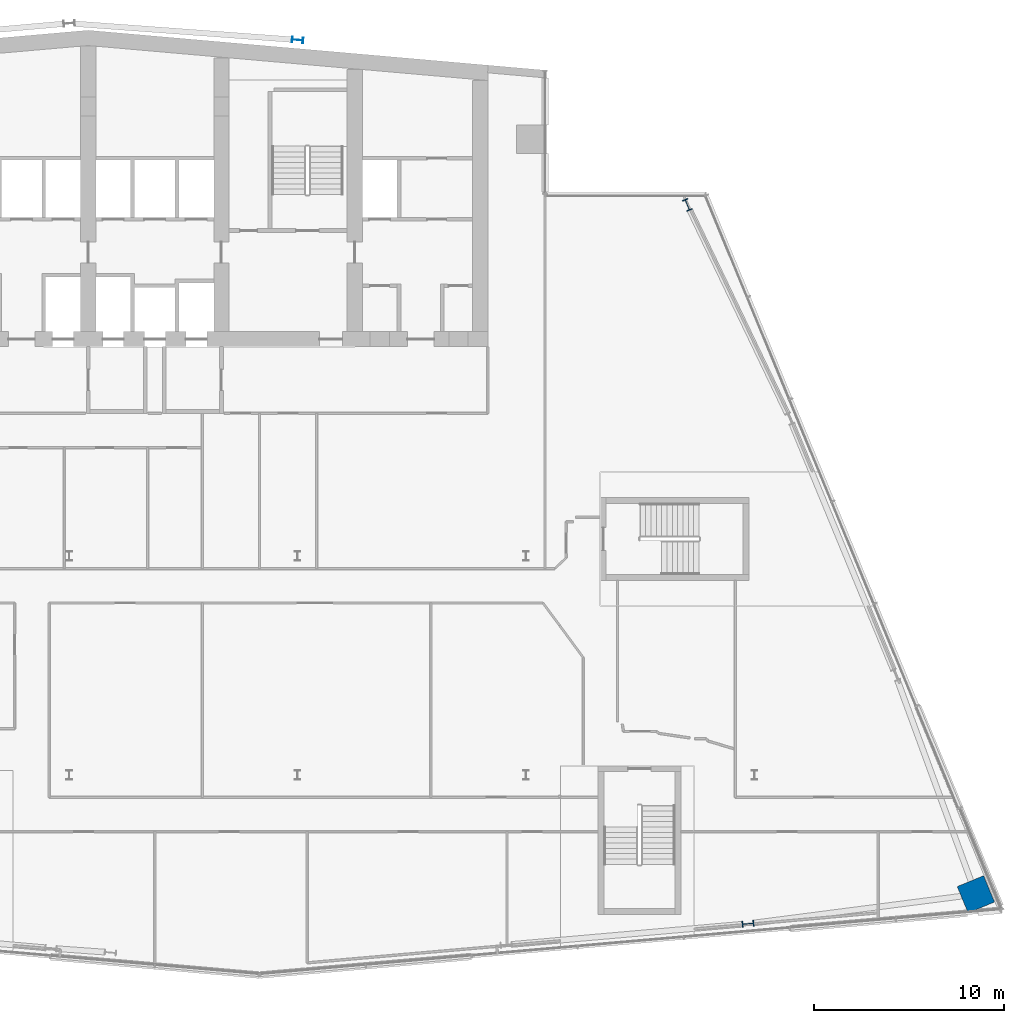
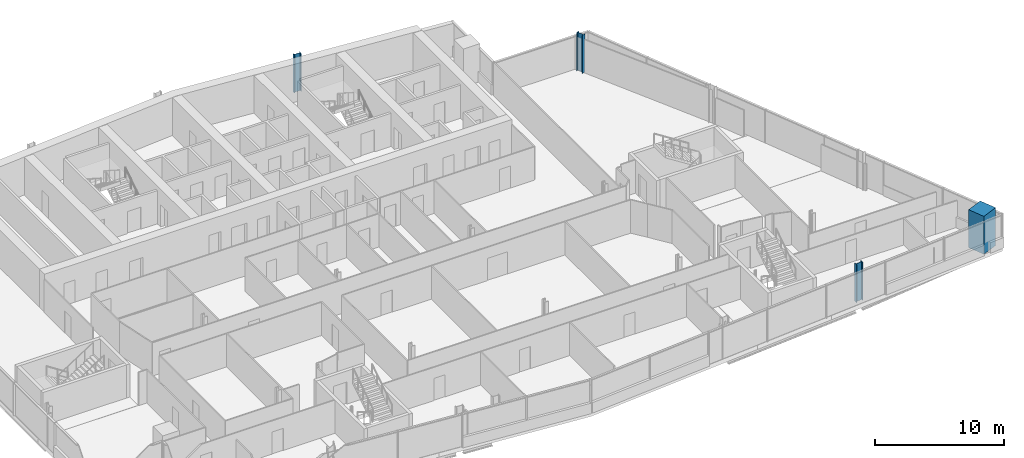
# One storey, part 4 of 24: 4 columns.
"""IFC4 building model written with IfcOpenShell, lengths in metres."""

import ifcopenshell
import ifcopenshell.guid

model = None  # the IFC model being written
_history = None  # IfcOwnerHistory: only IFC2X3 demands one
_inside = {}  # id of a spatial element -> (the spatial element, [elements in it])
_under = {}  # id of a project, library or spatial element -> (it, [spatial elements below it])
_declared = {}  # id of a project -> (the project, [libraries it declares])
_typed = {}  # id of a type object -> (the type object, [elements of that type])
_made_of = {}  # id of a material, layer set ... -> (it, [elements and type objects made of it])


def new_model(schema):
    """Start an empty IFC model of exactly this schema.

    Asked for "IFC4X3", IfcOpenShell would pick the latest addendum, in which some entities
    have other attributes; the version numbers below select the first issue.
    IFC2X3 requires an IfcOwnerHistory on every rooted entity: one is made here for all.
    """
    global model, _history
    if schema == "IFC4X3":
        model = ifcopenshell.file(schema_version=(4, 3, 0, 0))
    else:
        model = ifcopenshell.file(schema=schema)
    _inside.clear()
    _under.clear()
    _declared.clear()
    _typed.clear()
    _made_of.clear()
    _history = None
    if model.schema == "IFC2X3":
        org = make("IfcOrganization", Name="unknown")
        user = make(
            "IfcPersonAndOrganization",
            ThePerson=make("IfcPerson", FamilyName="unknown"),
            TheOrganization=org,
        )
        app = make(
            "IfcApplication",
            ApplicationDeveloper=org,
            Version="unknown",
            ApplicationFullName="unknown",
            ApplicationIdentifier="unknown",
        )
        _history = make(
            "IfcOwnerHistory",
            OwningUser=user,
            OwningApplication=app,
            ChangeAction="ADDED",
            CreationDate=0,
        )
    return model


def make(cls, **values):
    """One entity of the class cls with the attributes given. An attribute that is None is left unset."""
    return model.create_entity(
        cls, **{name: value for name, value in values.items() if value is not None}
    )


def rooted(cls, **values):
    """An entity with a GlobalId (a new one), such as an element, a storey or a relation."""
    return make(cls, GlobalId=ifcopenshell.guid.new(), OwnerHistory=_history, **values)


def si_unit(unit_type, name, prefix=None):
    """IfcSIUnit, for example si_unit("LENGTHUNIT", "METRE", prefix="MILLI")."""
    return make("IfcSIUnit", UnitType=unit_type, Prefix=prefix, Name=name)


def assignment(units):
    """IfcUnitAssignment: the units of a project."""
    return None if units is None else make("IfcUnitAssignment", Units=units)


def point(xyz):
    """IfcCartesianPoint."""
    return None if xyz is None else make("IfcCartesianPoint", Coordinates=xyz)


def direction(xyz):
    """IfcDirection."""
    return None if xyz is None else make("IfcDirection", DirectionRatios=xyz)


def frame(location, z_axis=None, x_axis=None):
    """IfcAxis2Placement3D, a coordinate frame: its origin and axes. An axis left out is left unset."""
    return make(
        "IfcAxis2Placement3D",
        Location=point(location),
        Axis=direction(z_axis),
        RefDirection=direction(x_axis),
    )


def frame_2d(location, x_axis=None):
    """IfcAxis2Placement2D, a coordinate frame in the plane: its origin and x axis."""
    return make(
        "IfcAxis2Placement2D", Location=point(location), RefDirection=direction(x_axis)
    )


def origin():
    """The frame at (0, 0, 0) with its axes left unset."""
    return frame((0.0, 0.0, 0.0))


def origin_2d():
    """The frame at (0, 0) in the plane with its x axis left unset."""
    return frame_2d((0.0, 0.0))


def place(relative_to, where):
    """IfcLocalPlacement: puts the frame where relative to a parent placement (None: the world)."""
    return make(
        "IfcLocalPlacement", PlacementRelTo=relative_to, RelativePlacement=where
    )


def context(
    kind, dimensions, precision=None, world=None, true_north=None, identifier=None
):
    """IfcGeometricRepresentationContext, for example the 3D "Model" context."""
    return make(
        "IfcGeometricRepresentationContext",
        ContextIdentifier=identifier,
        ContextType=kind,
        CoordinateSpaceDimension=dimensions,
        Precision=precision,
        WorldCoordinateSystem=world,
        TrueNorth=true_north,
    )


def subcontext(parent, identifier, kind, view, scale=None):
    """IfcGeometricRepresentationSubContext, for example "Body" below "Model"."""
    return make(
        "IfcGeometricRepresentationSubContext",
        ContextIdentifier=identifier,
        ContextType=kind,
        ParentContext=parent,
        TargetScale=scale,
        TargetView=view,
    )


def project(units=None, contexts=None):
    """IfcProject with its units and contexts."""
    return rooted(
        "IfcProject",
        Name="project",
        RepresentationContexts=contexts,
        UnitsInContext=assignment(units),
    )


def spatial(cls, under=None, at=None, **own):
    """A site, building, storey or space (cls), placed at a placement, below another one or the project."""
    s = rooted(cls, ObjectPlacement=at, **own)
    if under is not None:
        _under.setdefault(under.id(), (under, []))[1].append(s)
    return s


def profile(cls, at=None, kind="AREA", **sizes):
    """A parametric profile (cls). Its sizes go by their IFC names, for example OverallWidth=200.0."""
    return make(cls, ProfileType=kind, Position=at, **sizes)


def rectangle(**sizes):
    """IfcRectangleProfileDef."""
    return profile("IfcRectangleProfileDef", **sizes)


def i_section(**sizes):
    """IfcIShapeProfileDef."""
    return profile("IfcIShapeProfileDef", **sizes)


def extrude(swept, where, along, depth):
    """IfcExtrudedAreaSolid: the profile swept, set in the frame where, extruded along a direction by depth."""
    return make(
        "IfcExtrudedAreaSolid",
        SweptArea=swept,
        Position=where,
        ExtrudedDirection=direction(along),
        Depth=depth,
    )


def shape(context_of_items, identifier, shape_type, items):
    """IfcShapeRepresentation: the items that make up one representation, for example the "Body"."""
    return make(
        "IfcShapeRepresentation",
        ContextOfItems=context_of_items,
        RepresentationIdentifier=identifier,
        RepresentationType=shape_type,
        Items=items,
    )


def material(Name=None, Category=None):
    """IfcMaterial."""
    return make("IfcMaterial", Name=Name, Category=Category)


def material_profile(
    of_material, cross_section, Name=None, Category=None, Priority=None
):
    """IfcMaterialProfile: a cross section and its material."""
    return make(
        "IfcMaterialProfile",
        Name=Name,
        Material=of_material,
        Profile=cross_section,
        Priority=Priority,
        Category=Category,
    )


def profile_set(profiles, Name=None, composite=None):
    """IfcMaterialProfileSet."""
    return make(
        "IfcMaterialProfileSet",
        Name=Name,
        MaterialProfiles=profiles,
        CompositeProfile=composite,
    )


def made_of(thing, what):
    """Note that an element or type object is made of a material, layer set ...; save() writes the relation."""
    if what is not None:
        _made_of.setdefault(what.id(), (what, []))[1].append(thing)
    return thing


def type_object(cls, material=None, **own):
    """A type object (cls), such as IfcWallType, which elements share."""
    return made_of(rooted(cls, **own), material)


def element(
    cls,
    number,
    at=None,
    inside=None,
    cuts=None,
    type_object=None,
    material=None,
    context=None,
    identifier="Body",
    shape_type=None,
    held_by="IfcProductDefinitionShape",
    body=None,
    shapes=None,
    **own,
):
    """One element of the class cls, such as IfcWall. Its Tag is "e" and its number.

    at: its placement. inside: the storey or other place that contains it. cuts: it is an
    opening in that element (IfcRelVoidsElement). A single representation is given by context,
    identifier, shape_type and body (its items); several are given by shapes. held_by: the class
    of the entity that holds the representations. save() writes the other relations.
    """
    e = rooted(cls, Tag="e%d" % number, ObjectPlacement=at, **own)
    if body is not None:
        shapes = [shape(context, identifier, shape_type, body)]
    if shapes is not None:
        e.Representation = make(held_by, Representations=shapes)
    if inside is not None:
        _inside.setdefault(inside.id(), (inside, []))[1].append(e)
    if cuts is not None:
        rooted(
            "IfcRelVoidsElement", RelatingBuildingElement=cuts, RelatedOpeningElement=e
        )
    if type_object is not None:
        _typed.setdefault(type_object.id(), (type_object, []))[1].append(e)
    return made_of(e, material)


def aggregate(whole, parts):
    """IfcRelAggregates: a whole, such as a stair, and the parts it consists of."""
    return rooted("IfcRelAggregates", RelatingObject=whole, RelatedObjects=parts)


def save(model, path):
    """Write the relations noted so far, then the file.

    IfcRelAggregates (storeys below a building ...), IfcRelContainedInSpatialStructure (elements
    in a storey), IfcRelDefinesByType, IfcRelAssociatesMaterial and IfcRelDeclares: one each for
    every whole, place, type object, material and project.
    """
    for whole, parts in _under.values():
        aggregate(whole, parts)
    for where, things in _inside.values():
        rooted(
            "IfcRelContainedInSpatialStructure",
            RelatedElements=things,
            RelatingStructure=where,
        )
    for kind, things in _typed.values():
        rooted("IfcRelDefinesByType", RelatedObjects=things, RelatingType=kind)
    for what, things in _made_of.values():
        rooted("IfcRelAssociatesMaterial", RelatedObjects=things, RelatingMaterial=what)
    for by, libraries in _declared.values():
        rooted("IfcRelDeclares", RelatingContext=by, RelatedDefinitions=libraries)
    model.write(path)


model = new_model("IFC4")

# Units and contexts
model_context = context("Model", 3, precision=1e-05, world=origin(), true_north=direction((0.0, 1.0)))
body_context = subcontext(model_context, "Body", "Model", "MODEL_VIEW")
ifc_project = project(units=[si_unit("LENGTHUNIT", "METRE"), si_unit("AREAUNIT", "SQUARE_METRE"), si_unit("VOLUMEUNIT", "CUBIC_METRE"), si_unit("PLANEANGLEUNIT", "RADIAN"), si_unit("MASSUNIT", "GRAM", prefix="KILO")], contexts=[model_context])

# Site, building, storey
site_placement = place(None, origin())
site = spatial("IfcSite", under=ifc_project, at=site_placement, CompositionType="ELEMENT")
building_placement = place(site_placement, origin())
building = spatial("IfcBuilding", under=site, at=building_placement, Name="Wharfspan Tower", CompositionType="ELEMENT")
storey_placement = place(building_placement, frame((0.0, 0.0, 198.699951)))
storey = spatial("IfcBuildingStorey", under=building, at=storey_placement, Name="L49", CompositionType="ELEMENT", Elevation=198.699951)

# Columns
ifc_material_1 = material(Name="Steel S355J2", Category="steel")
ifc_material_profile_1 = material_profile(ifc_material_1, i_section(OverallWidth=0.300049, OverallDepth=0.600098, WebThickness=0.015381, FlangeThickness=0.030029, FilletRadius=0.0271, at=origin_2d()))
ifc_profile_set_1 = profile_set([ifc_material_profile_1], Name="Steel S355J2")
column_type_1 = type_object("IfcColumnType", Name="Column HEB 600", PredefinedType="COLUMN", material=ifc_profile_set_1)
column_1_placement = place(storey_placement, frame((48.0, 50.112305, 0.0), z_axis=(0.0, 0.0, 1.0), x_axis=(0.087156, 0.996198, 0.0)))
element("IfcColumn", 1, at=column_1_placement, inside=storey, type_object=column_type_1, Name="Rear column R.3 L49", PredefinedType="COLUMN", context=body_context, shape_type="SweptSolid", body=[
    extrude(i_section(OverallWidth=0.300049, OverallDepth=0.600098, WebThickness=0.015381, FlangeThickness=0.030029, FilletRadius=0.0271, at=origin_2d()), origin(), (0.0, 0.0, 1.0), 3.600098),
])
ifc_material_profile_2 = material_profile(ifc_material_1, i_section(OverallWidth=0.304932, OverallDepth=0.620117, WebThickness=0.020996, FlangeThickness=0.040039, FilletRadius=0.0271, at=origin_2d()))
ifc_profile_set_2 = profile_set([ifc_material_profile_2], Name="Steel S355J2")
column_type_2 = type_object("IfcColumnType", Name="Column HEM 600", PredefinedType="COLUMN", material=ifc_profile_set_2)
for number, where, z_axis, x_axis, name in (
    (2, (71.661865, 3.684814, 0.0), (0.0, 0.0, 1.0), (0.087156, -0.996198, 0.0), "Perimeter column PS2.2 L49"),
    (3, (68.471924, 41.450439, 0.0), (0.0, 0.0, 1.0), (0.924325, 0.381602, 0.0), "Perimeter column PE.3 L49"),
):
    element("IfcColumn", number, at=place(storey_placement, frame(where, z_axis=z_axis, x_axis=x_axis)), inside=storey, type_object=column_type_2, Name=name, PredefinedType="COLUMN", context=body_context, shape_type="SweptSolid", body=[
        extrude(i_section(OverallWidth=0.304932, OverallDepth=0.620117, WebThickness=0.020996, FlangeThickness=0.040039, FilletRadius=0.0271, at=origin_2d()), origin(), (0.0, 0.0, 1.0), 3.600098),
    ])
ifc_material_2 = material(Name="Concrete C60/75", Category="concrete")
ifc_material_profile_3 = material_profile(ifc_material_2, rectangle(XDim=1.5, YDim=1.5, at=origin_2d()))
ifc_profile_set_3 = profile_set([ifc_material_profile_3], Name="Concrete C60/75")
column_type_3 = type_object("IfcColumnType", Name="Mega column 1500 C60/75", PredefinedType="COLUMN", material=ifc_profile_set_3)
column_2_placement = place(storey_placement, frame((83.632568, 5.230713, 0.0), z_axis=(0.0, 0.0, 1.0), x_axis=(-0.381602, 0.924325, 0.0)))
element("IfcColumn", 4, at=column_2_placement, inside=storey, type_object=column_type_3, Name="Mega column MC4 L49", PredefinedType="COLUMN", context=body_context, shape_type="SweptSolid", body=[
    extrude(rectangle(XDim=1.5, YDim=1.5, at=origin_2d()), origin(), (0.0, 0.0, 1.0), 3.600098),
])

save(model, "model.ifc")
